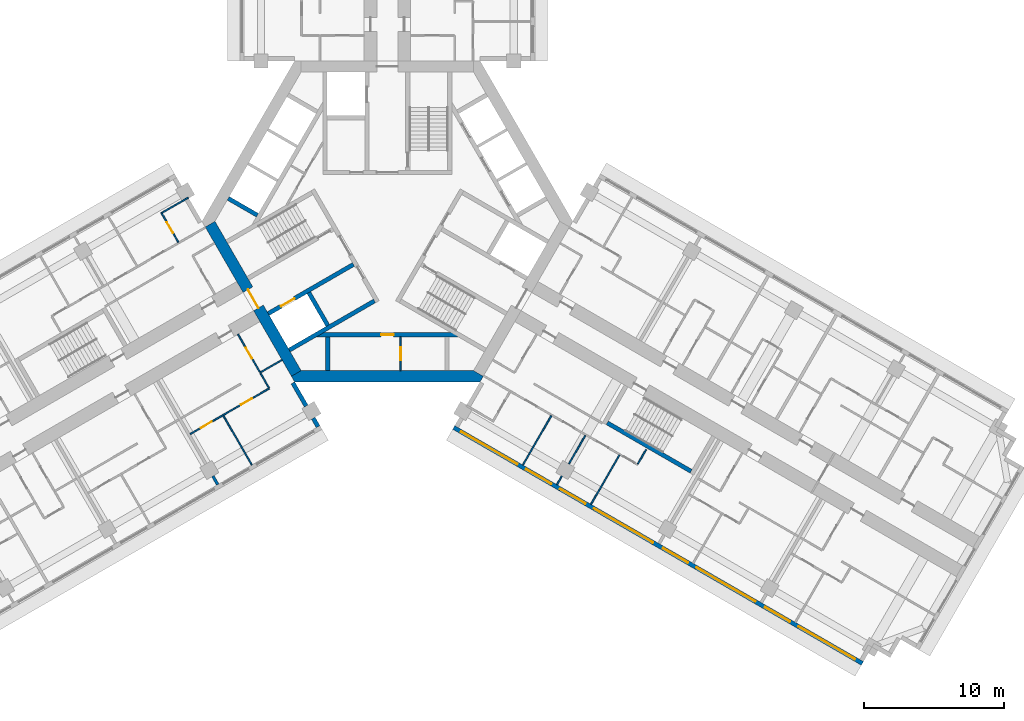
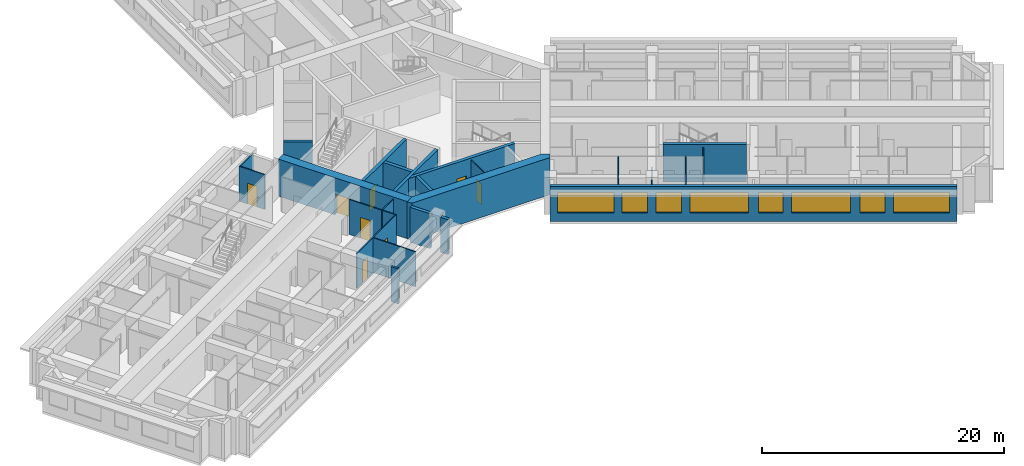
# One storey, part 6 of 14: 26 walls, 8 doors, 8 windows, 16 openings.
"""IFC4 building model written with IfcOpenShell, lengths in metres."""

from ifc_helpers import new_model, si_unit, direction, frame, frame_2d, origin, place, context, subcontext, project, spatial, polyline, rectangle, outline, extrude, material, layer, layer_set, type_object, element, fill, save


model = new_model("IFC4")

# Units and contexts
model_context = context("Model", 3, precision=1e-05, world=origin(), true_north=direction((0.0, 1.0)))
body_context = subcontext(model_context, "Body", "Model", "MODEL_VIEW")
ifc_project = project(units=[si_unit("LENGTHUNIT", "METRE"), si_unit("AREAUNIT", "SQUARE_METRE"), si_unit("VOLUMEUNIT", "CUBIC_METRE"), si_unit("PLANEANGLEUNIT", "RADIAN"), si_unit("MASSUNIT", "GRAM", prefix="KILO")], contexts=[model_context])

# Site, building, storey
site_placement = place(None, origin())
site = spatial("IfcSite", under=ifc_project, at=site_placement, CompositionType="ELEMENT")
building_placement = place(site_placement, origin())
building = spatial("IfcBuilding", under=site, at=building_placement, Name="Impinga Residences", CompositionType="ELEMENT")
storey_placement = place(building_placement, frame((0.0, 0.0, 121.0)))
storey = spatial("IfcBuildingStorey", under=building, at=storey_placement, Name="L29", CompositionType="ELEMENT", Elevation=121.0)

# Wall, opening, door
ifc_material_1 = material(Name="Concrete blockwork", Category="masonry")
ifc_layer_1 = layer(ifc_material_1, 0.10009765625)
ifc_layer_set_1 = layer_set([ifc_layer_1], Name="CP1 core room partition, blockwork 100")
wall_type_1 = type_object("IfcWallType", Name="CP1 core room partition, blockwork 100", PredefinedType="PARTITIONING", material=ifc_layer_set_1)
wall_1_placement = place(storey_placement, frame((0.949951171875, -8.2314453125, 0.0), z_axis=(0.0, 0.0, 1.0), x_axis=(0.0, -1.0, 0.0)))
wall_1 = element("IfcWall", 1, at=wall_1_placement, inside=storey, type_object=wall_type_1, Name="Core room partition, blockwork L29:CORE:low:ZP1", PredefinedType="PARTITIONING", context=body_context, shape_type="SweptSolid", body=[
    extrude(rectangle(XDim=2.400146484375, YDim=0.10009765625, at=frame_2d((1.2001953125, 0.0))), origin(), (0.0, 0.0, 1.0), 3.530029296875),
])
opening_1_placement = place(wall_1_placement, frame((0.75, 0.0, 0.0)))
opening_1 = element("IfcOpeningElement", 2, at=opening_1_placement, cuts=wall_1, Name="Opening D6", PredefinedType="OPENING", context=body_context, shape_type="SweptSolid", body=[
    extrude(rectangle(XDim=0.89990234375, YDim=2.10009765625, at=frame_2d((0.449951171875, 1.050048828125))), frame((0.0, 0.06005859375, 0.0), z_axis=(0.0, -1.0, 0.0), x_axis=(1.0, 0.0, 0.0)), (0.0, 0.0, 1.0), 0.1201171875),
])
ifc_material_2 = material(Name="Timber door set", Category="wood")
door_type_1 = type_object("IfcDoorType", Name="D6 riser and store door 900x2100", OperationType="SINGLE_SWING_LEFT", PredefinedType="DOOR", material=ifc_material_2)
door_1_placement = place(opening_1_placement, origin())
door_1 = element("IfcDoor", 3, at=door_1_placement, inside=storey, type_object=door_type_1, Name="Staff WC door", OperationType="SINGLE_SWING_LEFT", OverallHeight=2.10009765625, OverallWidth=0.89990234375, PredefinedType="DOOR", context=body_context, shape_type="SweptSolid", body=[
    extrude(rectangle(XDim=0.89990234375, YDim=2.10009765625, at=frame_2d((0.449951171875, 1.050048828125))), frame((0.0, 0.02490234375, 0.0), z_axis=(0.0, -1.0, 0.0), x_axis=(1.0, 0.0, 0.0)), (0.0, 0.0, 1.0), 0.050048828125),
])
fill(opening_1, door_1)

# Wall, openings, windows
ifc_material_3 = material(Name="Terracotta rainscreen on blockwork", Category="masonry")
ifc_layer_2 = layer(ifc_material_3, 0.300048828125)
ifc_layer_set_2 = layer_set([ifc_layer_2], Name="EW1 external wall, terracotta rainscreen on blockwork 300")
wall_type_2 = type_object("IfcWallType", Name="EW1 external wall, terracotta rainscreen on blockwork 300", PredefinedType="SOLIDWALL", material=ifc_layer_set_2)
wall_2_placement = place(storey_placement, frame((33.823486328125, -31.479248046875, 0.0), z_axis=(0.0, 0.0, 1.0), x_axis=(-0.866024291668, 0.500001926238, 0.0)))
wall_2 = element("IfcWall", 4, at=wall_2_placement, inside=storey, type_object=wall_type_2, Name="External wall EW1 L29", PredefinedType="SOLIDWALL", context=body_context, shape_type="SweptSolid", body=[
    extrude(rectangle(XDim=33.599853515625, YDim=0.300048828125, at=frame_2d((16.7998046875, 0.0))), origin(), (0.0, 0.0, 1.0), 3.530029296875),
])
opening_2_placement = place(wall_2_placement, frame((0.60009765625, 0.0, 0.89990234375)))
opening_2 = element("IfcOpeningElement", 5, at=opening_2_placement, cuts=wall_2, Name="Opening W10", PredefinedType="OPENING", context=body_context, shape_type="SweptSolid", body=[
    extrude(rectangle(XDim=4.64990234375, YDim=2.050048828125, at=frame_2d((2.324951171875, 1.02490234375))), frame((0.0, 0.159912109375, 0.0), z_axis=(0.0, -1.0, 0.0), x_axis=(1.0, 0.0, 0.0)), (0.0, 0.0, 1.0), 0.320068359375),
])
opening_3_placement = place(wall_2_placement, frame((5.949951171875, 0.0, 0.89990234375)))
opening_3 = element("IfcOpeningElement", 6, at=opening_3_placement, cuts=wall_2, Name="Opening W14", PredefinedType="OPENING", context=body_context, shape_type="SweptSolid", body=[
    extrude(rectangle(XDim=2.050048828125, YDim=2.050048828125, at=frame_2d((1.02490234375, 1.02490234375))), frame((0.0, 0.159912109375, 0.0), z_axis=(0.0, -1.0, 0.0), x_axis=(1.0, 0.0, 0.0)), (0.0, 0.0, 1.0), 0.320068359375),
])
opening_4_placement = place(wall_2_placement, frame((8.800048828125, 0.0, 0.89990234375)))
opening_4 = element("IfcOpeningElement", 7, at=opening_4_placement, cuts=wall_2, Name="Opening W6", PredefinedType="OPENING", context=body_context, shape_type="SweptSolid", body=[
    extrude(rectangle(XDim=4.85009765625, YDim=2.050048828125, at=frame_2d((2.425048828125, 1.02490234375))), frame((0.0, 0.159912109375, 0.0), z_axis=(0.0, -1.0, 0.0), x_axis=(1.0, 0.0, 0.0)), (0.0, 0.0, 1.0), 0.320068359375),
])
opening_5_placement = place(wall_2_placement, frame((14.35009765625, 0.0, 0.89990234375)))
opening_5 = element("IfcOpeningElement", 8, at=opening_5_placement, cuts=wall_2, Name="Opening W14", PredefinedType="OPENING", context=body_context, shape_type="SweptSolid", body=[
    extrude(rectangle(XDim=2.050048828125, YDim=2.050048828125, at=frame_2d((1.02490234375, 1.02490234375))), frame((0.0, 0.159912109375, 0.0), z_axis=(0.0, -1.0, 0.0), x_axis=(1.0, 0.0, 0.0)), (0.0, 0.0, 1.0), 0.320068359375),
])
opening_6_placement = place(wall_2_placement, frame((17.199951171875, 0.0, 0.89990234375)))
opening_6 = element("IfcOpeningElement", 9, at=opening_6_placement, cuts=wall_2, Name="Opening W6", PredefinedType="OPENING", context=body_context, shape_type="SweptSolid", body=[
    extrude(rectangle(XDim=4.85009765625, YDim=2.050048828125, at=frame_2d((2.425048828125, 1.02490234375))), frame((0.0, 0.159912109375, 0.0), z_axis=(0.0, -1.0, 0.0), x_axis=(1.0, 0.0, 0.0)), (0.0, 0.0, 1.0), 0.320068359375),
])
opening_7_placement = place(wall_2_placement, frame((22.75, 0.0, 0.89990234375)))
opening_7 = element("IfcOpeningElement", 10, at=opening_7_placement, cuts=wall_2, Name="Opening W9", PredefinedType="OPENING", context=body_context, shape_type="SweptSolid", body=[
    extrude(rectangle(XDim=2.10009765625, YDim=2.050048828125, at=frame_2d((1.050048828125, 1.02490234375))), frame((0.0, 0.159912109375, 0.0), z_axis=(0.0, -1.0, 0.0), x_axis=(1.0, 0.0, 0.0)), (0.0, 0.0, 1.0), 0.320068359375),
])
opening_8_placement = place(wall_2_placement, frame((25.550048828125, 0.0, 0.89990234375)))
opening_8 = element("IfcOpeningElement", 11, at=opening_8_placement, cuts=wall_2, Name="Opening W9", PredefinedType="OPENING", context=body_context, shape_type="SweptSolid", body=[
    extrude(rectangle(XDim=2.10009765625, YDim=2.050048828125, at=frame_2d((1.050048828125, 1.02490234375))), frame((0.0, 0.159912109375, 0.0), z_axis=(0.0, -1.0, 0.0), x_axis=(1.0, 0.0, 0.0)), (0.0, 0.0, 1.0), 0.320068359375),
])
opening_9_placement = place(wall_2_placement, frame((28.35009765625, 0.0, 0.89990234375)))
opening_9 = element("IfcOpeningElement", 12, at=opening_9_placement, cuts=wall_2, Name="Opening W10", PredefinedType="OPENING", context=body_context, shape_type="SweptSolid", body=[
    extrude(rectangle(XDim=4.64990234375, YDim=2.050048828125, at=frame_2d((2.324951171875, 1.02490234375))), frame((0.0, 0.159912109375, 0.0), z_axis=(0.0, -1.0, 0.0), x_axis=(1.0, 0.0, 0.0)), (0.0, 0.0, 1.0), 0.320068359375),
])
ifc_material_4 = material(Name="Aluminium window, clear double glazing", Category="aluminium")
window_type_1 = type_object("IfcWindowType", Name="W10 ribbon window 4650x2050", PartitioningType="SINGLE_PANEL", PredefinedType="WINDOW", material=ifc_material_4)
window_1_placement = place(opening_2_placement, origin())
window_1 = element("IfcWindow", 13, at=window_1_placement, inside=storey, type_object=window_type_1, Name="Window L29", OverallHeight=2.050048828125, OverallWidth=4.64990234375, PartitioningType="SINGLE_PANEL", PredefinedType="WINDOW", context=body_context, shape_type="SweptSolid", body=[
    extrude(rectangle(XDim=4.64990234375, YDim=2.050048828125, at=frame_2d((2.324951171875, 1.02490234375))), frame((0.0, 0.030029296875, 0.0), z_axis=(0.0, -1.0, 0.0), x_axis=(1.0, 0.0, 0.0)), (0.0, 0.0, 1.0), 0.06005859375),
])
fill(opening_2, window_1)
window_2_placement = place(opening_9_placement, origin())
window_2 = element("IfcWindow", 14, at=window_2_placement, inside=storey, type_object=window_type_1, Name="Window L29", OverallHeight=2.050048828125, OverallWidth=4.64990234375, PartitioningType="SINGLE_PANEL", PredefinedType="WINDOW", context=body_context, shape_type="SweptSolid", body=[
    extrude(rectangle(XDim=4.64990234375, YDim=2.050048828125, at=frame_2d((2.324951171875, 1.02490234375))), frame((0.0, 0.030029296875, 0.0), z_axis=(0.0, -1.0, 0.0), x_axis=(1.0, 0.0, 0.0)), (0.0, 0.0, 1.0), 0.06005859375),
])
fill(opening_9, window_2)
window_type_2 = type_object("IfcWindowType", Name="W14 ribbon window 2050x2050", PartitioningType="SINGLE_PANEL", PredefinedType="WINDOW", material=ifc_material_4)
window_3_placement = place(opening_3_placement, origin())
window_3 = element("IfcWindow", 15, at=window_3_placement, inside=storey, type_object=window_type_2, Name="Window L29", OverallHeight=2.050048828125, OverallWidth=2.050048828125, PartitioningType="SINGLE_PANEL", PredefinedType="WINDOW", context=body_context, shape_type="SweptSolid", body=[
    extrude(rectangle(XDim=2.050048828125, YDim=2.050048828125, at=frame_2d((1.02490234375, 1.02490234375))), frame((0.0, 0.030029296875, 0.0), z_axis=(0.0, -1.0, 0.0), x_axis=(1.0, 0.0, 0.0)), (0.0, 0.0, 1.0), 0.06005859375),
])
fill(opening_3, window_3)
window_4_placement = place(opening_5_placement, origin())
window_4 = element("IfcWindow", 16, at=window_4_placement, inside=storey, type_object=window_type_2, Name="Window L29", OverallHeight=2.050048828125, OverallWidth=2.050048828125, PartitioningType="SINGLE_PANEL", PredefinedType="WINDOW", context=body_context, shape_type="SweptSolid", body=[
    extrude(rectangle(XDim=2.050048828125, YDim=2.050048828125, at=frame_2d((1.02490234375, 1.02490234375))), frame((0.0, 0.030029296875, 0.0), z_axis=(0.0, -1.0, 0.0), x_axis=(1.0, 0.0, 0.0)), (0.0, 0.0, 1.0), 0.06005859375),
])
fill(opening_5, window_4)
window_type_3 = type_object("IfcWindowType", Name="W6 ribbon window 4850x2050", PartitioningType="SINGLE_PANEL", PredefinedType="WINDOW", material=ifc_material_4)
window_5_placement = place(opening_4_placement, origin())
window_5 = element("IfcWindow", 17, at=window_5_placement, inside=storey, type_object=window_type_3, Name="Window L29", OverallHeight=2.050048828125, OverallWidth=4.85009765625, PartitioningType="SINGLE_PANEL", PredefinedType="WINDOW", context=body_context, shape_type="SweptSolid", body=[
    extrude(rectangle(XDim=4.85009765625, YDim=2.050048828125, at=frame_2d((2.425048828125, 1.02490234375))), frame((0.0, 0.030029296875, 0.0), z_axis=(0.0, -1.0, 0.0), x_axis=(1.0, 0.0, 0.0)), (0.0, 0.0, 1.0), 0.06005859375),
])
fill(opening_4, window_5)
window_6_placement = place(opening_6_placement, origin())
window_6 = element("IfcWindow", 18, at=window_6_placement, inside=storey, type_object=window_type_3, Name="Window L29", OverallHeight=2.050048828125, OverallWidth=4.85009765625, PartitioningType="SINGLE_PANEL", PredefinedType="WINDOW", context=body_context, shape_type="SweptSolid", body=[
    extrude(rectangle(XDim=4.85009765625, YDim=2.050048828125, at=frame_2d((2.425048828125, 1.02490234375))), frame((0.0, 0.030029296875, 0.0), z_axis=(0.0, -1.0, 0.0), x_axis=(1.0, 0.0, 0.0)), (0.0, 0.0, 1.0), 0.06005859375),
])
fill(opening_6, window_6)
window_type_4 = type_object("IfcWindowType", Name="W9 ribbon window 2100x2050", PartitioningType="SINGLE_PANEL", PredefinedType="WINDOW", material=ifc_material_4)
window_7_placement = place(opening_7_placement, origin())
window_7 = element("IfcWindow", 19, at=window_7_placement, inside=storey, type_object=window_type_4, Name="Window L29", OverallHeight=2.050048828125, OverallWidth=2.10009765625, PartitioningType="SINGLE_PANEL", PredefinedType="WINDOW", context=body_context, shape_type="SweptSolid", body=[
    extrude(rectangle(XDim=2.10009765625, YDim=2.050048828125, at=frame_2d((1.050048828125, 1.02490234375))), frame((0.0, 0.030029296875, 0.0), z_axis=(0.0, -1.0, 0.0), x_axis=(1.0, 0.0, 0.0)), (0.0, 0.0, 1.0), 0.06005859375),
])
fill(opening_7, window_7)
window_8_placement = place(opening_8_placement, origin())
window_8 = element("IfcWindow", 20, at=window_8_placement, inside=storey, type_object=window_type_4, Name="Window L29", OverallHeight=2.050048828125, OverallWidth=2.10009765625, PartitioningType="SINGLE_PANEL", PredefinedType="WINDOW", context=body_context, shape_type="SweptSolid", body=[
    extrude(rectangle(XDim=2.10009765625, YDim=2.050048828125, at=frame_2d((1.050048828125, 1.02490234375))), frame((0.0, 0.030029296875, 0.0), z_axis=(0.0, -1.0, 0.0), x_axis=(1.0, 0.0, 0.0)), (0.0, 0.0, 1.0), 0.06005859375),
])
fill(opening_8, window_8)

# Walls
wall_3_placement = place(storey_placement, frame((-6.72998046875, -11.506591796875, 0.0), z_axis=(0.0, 0.0, 1.0), x_axis=(0.500063520245, -0.865988727248, 0.0)))
element("IfcWall", 21, at=wall_3_placement, inside=storey, type_object=wall_type_2, Name="External wall EW1 L29", PredefinedType="SOLIDWALL", context=body_context, shape_type="SweptSolid", body=[
    extrude(rectangle(XDim=1.900146484375, YDim=0.300048828125, at=frame_2d((0.9501953125, 0.0))), origin(), (0.0, 0.0, 1.0), 3.530029296875),
])
wall_4_placement = place(storey_placement, frame((-5.27978515625, -14.01806640625, 0.0), z_axis=(0.0, 0.0, 1.0), x_axis=(0.499853302173, -0.866110083249, 0.0)))
element("IfcWall", 22, at=wall_4_placement, inside=storey, type_object=wall_type_2, Name="External wall EW1 L29", PredefinedType="SOLIDWALL", context=body_context, shape_type="SweptSolid", body=[
    extrude(rectangle(XDim=0.699951171875, YDim=0.300048828125, at=frame_2d((0.35009765625, 0.0))), origin(), (0.0, 0.0, 1.0), 3.530029296875),
])
ifc_material_5 = material(Name="Gypsum board on steel studs", Category="steel")
ifc_layer_3 = layer(ifc_material_5, 0.10009765625)
ifc_layer_set_3 = layer_set([ifc_layer_3], Name="Gypsum board on steel studs")
wall_type_3 = type_object("IfcWallType", Name="IP1 partition 100", PredefinedType="PARTITIONING", material=ifc_layer_set_3)
wall_5_placement = place(storey_placement, frame((-7.5, -9.872802734375, 0.0), z_axis=(0.0, 0.0, 1.0), x_axis=(-0.866047807691, -0.499961193289, 0.0)))
element("IfcWall", 23, at=wall_5_placement, inside=storey, type_object=wall_type_3, Name="Partition L29-WA1:DIV0", PredefinedType="PARTITIONING", context=body_context, shape_type="SweptSolid", body=[
    extrude(rectangle(XDim=1.800048828125, YDim=0.10009765625, at=frame_2d((0.89990234375, 0.0))), origin(), (0.0, 0.0, 1.0), 3.530029296875),
])

# Wall, openings, doors
wall_6_placement = place(storey_placement, frame((-8.408935546875, -11.8984375, 0.0), z_axis=(0.0, 0.0, 1.0), x_axis=(-0.866024837091, -0.50000098154, 0.0)))
wall_6 = element("IfcWall", 24, at=wall_6_placement, inside=storey, type_object=wall_type_3, Name="Partition L29-WA1:STRIP", PredefinedType="PARTITIONING", context=body_context, shape_type="SweptSolid", body=[
    extrude(rectangle(XDim=6.5, YDim=0.10009765625, at=frame_2d((3.25, 0.0))), origin(), (0.0, 0.0, 1.0), 3.530029296875),
])
opening_10_placement = place(wall_6_placement, frame((1.425048828125, 0.0, 0.0)))
opening_10 = element("IfcOpeningElement", 25, at=opening_10_placement, cuts=wall_6, Name="Opening D2", PredefinedType="OPENING", context=body_context, shape_type="SweptSolid", body=[
    extrude(rectangle(XDim=0.89990234375, YDim=2.10009765625, at=frame_2d((0.449951171875, 1.050048828125))), frame((0.0, 0.06005859375, 0.0), z_axis=(0.0, -1.0, 0.0), x_axis=(1.0, 0.0, 0.0)), (0.0, 0.0, 1.0), 0.1201171875),
])
opening_11_placement = place(wall_6_placement, frame((4.72509765625, 0.0, 0.0)))
opening_11 = element("IfcOpeningElement", 26, at=opening_11_placement, cuts=wall_6, Name="Opening D2", PredefinedType="OPENING", context=body_context, shape_type="SweptSolid", body=[
    extrude(rectangle(XDim=0.89990234375, YDim=2.10009765625, at=frame_2d((0.449951171875, 1.050048828125))), frame((0.0, 0.06005859375, 0.0), z_axis=(0.0, -1.0, 0.0), x_axis=(1.0, 0.0, 0.0)), (0.0, 0.0, 1.0), 0.1201171875),
])
door_type_2 = type_object("IfcDoorType", Name="D2 internal door 900x2100", OperationType="SINGLE_SWING_LEFT", PredefinedType="DOOR", material=ifc_material_2)
door_2_placement = place(opening_10_placement, origin())
door_2 = element("IfcDoor", 27, at=door_2_placement, inside=storey, type_object=door_type_2, Name="Apartment L29-WA1 room door", OperationType="SINGLE_SWING_LEFT", OverallHeight=2.10009765625, OverallWidth=0.89990234375, PredefinedType="DOOR", context=body_context, shape_type="SweptSolid", body=[
    extrude(rectangle(XDim=0.89990234375, YDim=2.10009765625, at=frame_2d((0.449951171875, 1.050048828125))), frame((0.0, 0.02490234375, 0.0), z_axis=(0.0, -1.0, 0.0), x_axis=(1.0, 0.0, 0.0)), (0.0, 0.0, 1.0), 0.050048828125),
])
fill(opening_10, door_2)
door_3_placement = place(opening_11_placement, origin())
door_3 = element("IfcDoor", 28, at=door_3_placement, inside=storey, type_object=door_type_2, Name="Apartment L29-WA1 room door", OperationType="SINGLE_SWING_RIGHT", OverallHeight=2.10009765625, OverallWidth=0.89990234375, PredefinedType="DOOR", context=body_context, shape_type="SweptSolid", body=[
    extrude(rectangle(XDim=0.89990234375, YDim=2.10009765625, at=frame_2d((0.449951171875, 1.050048828125))), frame((0.0, 0.02490234375, 0.0), z_axis=(0.0, -1.0, 0.0), x_axis=(1.0, 0.0, 0.0)), (0.0, 0.0, 1.0), 0.050048828125),
])
fill(opening_11, door_3)

# Wall
wall_7_placement = place(storey_placement, frame((-9.033935546875, -10.81591796875, 0.0), z_axis=(0.0, 0.0, 1.0), x_axis=(0.500033551112, -0.866006032174, 0.0)))
element("IfcWall", 29, at=wall_7_placement, inside=storey, type_object=wall_type_3, Name="Partition L29-WA1:SE0", PredefinedType="PARTITIONING", context=body_context, shape_type="SweptSolid", body=[
    extrude(rectangle(XDim=1.2001953125, YDim=0.10009765625, at=frame_2d((0.60009765625, 0.0))), origin(), (0.0, 0.0, 1.0), 3.530029296875),
])

# Wall, opening, door
wall_8_placement = place(storey_placement, frame((-10.6337890625, -8.044677734375, 0.0), z_axis=(0.0, 0.0, 1.0), x_axis=(0.49999285859, -0.86602952684, 0.0)))
wall_8 = element("IfcWall", 30, at=wall_8_placement, inside=storey, type_object=wall_type_3, Name="Partition L29-WA1:IB1", PredefinedType="PARTITIONING", context=body_context, shape_type="SweptSolid", body=[
    extrude(rectangle(XDim=3.10009765625, YDim=0.10009765625, at=frame_2d((1.550048828125, 0.0))), origin(), (0.0, 0.0, 1.0), 3.530029296875),
])
opening_12_placement = place(wall_8_placement, frame((1.10009765625, 0.0, 0.0)))
opening_12 = element("IfcOpeningElement", 31, at=opening_12_placement, cuts=wall_8, Name="Opening D2", PredefinedType="OPENING", context=body_context, shape_type="SweptSolid", body=[
    extrude(rectangle(XDim=0.89990234375, YDim=2.10009765625, at=frame_2d((0.449951171875, 1.050048828125))), frame((0.0, 0.06005859375, 0.0), z_axis=(0.0, -1.0, 0.0), x_axis=(1.0, 0.0, 0.0)), (0.0, 0.0, 1.0), 0.1201171875),
])
door_4_placement = place(opening_12_placement, origin())
door_4 = element("IfcDoor", 32, at=door_4_placement, inside=storey, type_object=door_type_2, Name="Apartment L29-WA1 bathroom door", OperationType="SINGLE_SWING_LEFT", OverallHeight=2.10009765625, OverallWidth=0.89990234375, PredefinedType="DOOR", context=body_context, shape_type="SweptSolid", body=[
    extrude(rectangle(XDim=0.89990234375, YDim=2.10009765625, at=frame_2d((0.449951171875, 1.050048828125))), frame((0.0, 0.02490234375, 0.0), z_axis=(0.0, -1.0, 0.0), x_axis=(1.0, 0.0, 0.0)), (0.0, 0.0, 1.0), 0.050048828125),
])
fill(opening_12, door_4)

# Wall
wall_9_placement = place(storey_placement, frame((-11.6748046875, -13.841796875, 0.0), z_axis=(0.0, 0.0, 1.0), x_axis=(0.500035537042, -0.866004885491, 0.0)))
element("IfcWall", 33, at=wall_9_placement, inside=storey, type_object=wall_type_3, Name="Partition L29-WA1:OB1", PredefinedType="PARTITIONING", context=body_context, shape_type="SweptSolid", body=[
    extrude(rectangle(XDim=4.050048828125, YDim=0.10009765625, at=frame_2d((2.02490234375, 0.0))), origin(), (0.0, 0.0, 1.0), 3.530029296875),
])

# Wall, opening, door
wall_10_placement = place(storey_placement, frame((-14.88037109375, -1.48974609375, 0.0), z_axis=(0.0, 0.0, 1.0), x_axis=(-0.499943856944, 0.866057815567, 0.0)))
wall_10 = element("IfcWall", 34, at=wall_10_placement, inside=storey, type_object=wall_type_3, Name="Partition L29-WF1:EN1", PredefinedType="PARTITIONING", context=body_context, shape_type="SweptSolid", body=[
    extrude(rectangle(XDim=2.449951171875, YDim=0.10009765625, at=frame_2d((1.22509765625, 0.0))), origin(), (0.0, 0.0, 1.0), 3.530029296875),
])
opening_13_placement = place(wall_10_placement, frame((0.75, 0.0, 0.0)))
opening_13 = element("IfcOpeningElement", 35, at=opening_13_placement, cuts=wall_10, Name="Opening D2", PredefinedType="OPENING", context=body_context, shape_type="SweptSolid", body=[
    extrude(rectangle(XDim=0.89990234375, YDim=2.10009765625, at=frame_2d((0.449951171875, 1.050048828125))), frame((0.0, 0.06005859375, 0.0), z_axis=(0.0, -1.0, 0.0), x_axis=(1.0, 0.0, 0.0)), (0.0, 0.0, 1.0), 0.1201171875),
])
door_5_placement = place(opening_13_placement, origin())
door_5 = element("IfcDoor", 36, at=door_5_placement, inside=storey, type_object=door_type_2, Name="Apartment L29-WF1 en-suite door", OperationType="SINGLE_SWING_LEFT", OverallHeight=2.10009765625, OverallWidth=0.89990234375, PredefinedType="DOOR", context=body_context, shape_type="SweptSolid", body=[
    extrude(rectangle(XDim=0.89990234375, YDim=2.10009765625, at=frame_2d((0.449951171875, 1.050048828125))), frame((0.0, 0.02490234375, 0.0), z_axis=(0.0, -1.0, 0.0), x_axis=(1.0, 0.0, 0.0)), (0.0, 0.0, 1.0), 0.050048828125),
])
fill(opening_13, door_5)

# Walls
wall_11_placement = place(storey_placement, frame((-14.175048828125, 1.688720703125, 0.0), z_axis=(0.0, 0.0, 1.0), x_axis=(-0.866019166195, -0.500010803666, 0.0)))
element("IfcWall", 37, at=wall_11_placement, inside=storey, type_object=wall_type_3, Name="Partition L29-WF1:EN2", PredefinedType="PARTITIONING", context=body_context, shape_type="SweptSolid", body=[
    extrude(rectangle(XDim=2.14990234375, YDim=0.10009765625, at=frame_2d((1.074951171875, 0.0))), origin(), (0.0, 0.0, 1.0), 3.530029296875),
])
wall_12_placement = place(storey_placement, frame((18.43017578125, -16.240966796875, 0.0), z_axis=(0.0, 0.0, 1.0), x_axis=(-0.499880961361, -0.866094119867, 0.0)))
element("IfcWall", 38, at=wall_12_placement, inside=storey, type_object=wall_type_3, Name="Partition L29-EF1:SE1", PredefinedType="PARTITIONING", context=body_context, shape_type="SweptSolid", body=[
    extrude(rectangle(XDim=1.199951171875, YDim=0.10009765625, at=frame_2d((0.60009765625, 0.0))), origin(), (0.0, 0.0, 1.0), 3.530029296875),
])
wall_13_placement = place(storey_placement, frame((11.6748046875, -13.841796875, 0.0), z_axis=(0.0, 0.0, 1.0), x_axis=(-0.500035537042, -0.866004885491, 0.0)))
element("IfcWall", 39, at=wall_13_placement, inside=storey, type_object=wall_type_3, Name="Partition L29-EF1:OB1", PredefinedType="PARTITIONING", context=body_context, shape_type="SweptSolid", body=[
    extrude(rectangle(XDim=4.050048828125, YDim=0.10009765625, at=frame_2d((2.02490234375, 0.0))), origin(), (0.0, 0.0, 1.0), 3.530029296875),
])
wall_14_placement = place(storey_placement, frame((14.099609375, -15.241943359375, 0.0), z_axis=(0.0, 0.0, 1.0), x_axis=(-0.500016218704, -0.866016039709, 0.0)))
element("IfcWall", 40, at=wall_14_placement, inside=storey, type_object=wall_type_3, Name="Partition L29-EF1:OB2", PredefinedType="PARTITIONING", context=body_context, shape_type="SweptSolid", body=[
    extrude(rectangle(XDim=2.35009765625, YDim=0.10009765625, at=frame_2d((1.175048828125, 0.0))), origin(), (0.0, 0.0, 1.0), 2.47998046875),
])
wall_15_placement = place(storey_placement, frame((12.424560546875, -18.14306640625, 0.0), z_axis=(0.0, 0.0, 1.0), x_axis=(-0.499853302173, -0.866110083249, 0.0)))
element("IfcWall", 41, at=wall_15_placement, inside=storey, type_object=wall_type_3, Name="Partition L29-EF1:OB2b", PredefinedType="PARTITIONING", context=body_context, shape_type="SweptSolid", body=[
    extrude(rectangle(XDim=0.699951171875, YDim=0.10009765625, at=frame_2d((0.35009765625, 0.0))), origin(), (0.0, 0.0, 1.0), 3.530029296875),
])
wall_16_placement = place(storey_placement, frame((16.5244140625, -16.641845703125, 0.0), z_axis=(0.0, 0.0, 1.0), x_axis=(-0.499990325971, -0.866030989016, 0.0)))
element("IfcWall", 42, at=wall_16_placement, inside=storey, type_object=wall_type_3, Name="Partition L29-EF1:OB3", PredefinedType="PARTITIONING", context=body_context, shape_type="SweptSolid", body=[
    extrude(rectangle(XDim=4.0498046875, YDim=0.10009765625, at=frame_2d((2.02490234375, 0.0))), origin(), (0.0, 0.0, 1.0), 3.530029296875),
])
ifc_layer_4 = layer(ifc_material_1, 0.199951171875)
ifc_layer_set_4 = layer_set([ifc_layer_4], Name="PW1 party wall between apartments 200")
wall_type_4 = type_object("IfcWallType", Name="PW1 party wall between apartments 200", PredefinedType="SOLIDWALL", material=ifc_layer_set_4)
wall_17_placement = place(storey_placement, frame((-12.424560546875, -18.14306640625, 0.0), z_axis=(0.0, 0.0, 1.0), x_axis=(0.499853302173, -0.866110083249, 0.0)))
element("IfcWall", 43, at=wall_17_placement, inside=storey, type_object=wall_type_4, Name="Party wall between apartments L29-WA1:PARTYb", PredefinedType="SOLIDWALL", context=body_context, shape_type="SweptSolid", body=[
    extrude(rectangle(XDim=0.699951171875, YDim=0.199951171875, at=frame_2d((0.35009765625, 0.0))), origin(), (0.0, 0.0, 1.0), 3.530029296875),
])
ifc_material_6 = material(Name="Concrete C60/75", Category="concrete")
ifc_layer_5 = layer(ifc_material_6, 0.300048828125)
ifc_layer_set_5 = layer_set([ifc_layer_5], Name="Concrete C60/75")
wall_type_5 = type_object("IfcWallType", Name="SE1 wing stair enclosure wall 300", PredefinedType="SOLIDWALL", material=ifc_layer_set_5)
wall_18_placement = place(storey_placement, frame((15.654052734375, -14.349365234375, 0.0), z_axis=(0.0, 0.0, 1.0), x_axis=(0.866013532718, -0.500020560727, 0.0)))
element("IfcWall", 44, at=wall_18_placement, inside=storey, type_object=wall_type_5, Name="Stair enclosure wall SE1 E OUT L29", PredefinedType="SOLIDWALL", context=body_context, shape_type="SweptSolid", body=[
    extrude(rectangle(XDim=6.900146484375, YDim=0.300048828125, at=frame_2d((3.4501953125, 0.0))), origin(), (0.0, 0.0, 1.0), 3.75),
])

# Wall, opening, door
ifc_layer_6 = layer(ifc_material_6, 0.800048828125)
ifc_layer_set_6 = layer_set([ifc_layer_6], Name="Concrete C60/75")
wall_type_6 = type_object("IfcWallType", Name="SW2 core wall 800", PredefinedType="SHEAR", material=ifc_layer_set_6)
wall_19_placement = place(storey_placement, frame((-6.484619140625, -10.83154296875, 0.0), z_axis=(0.0, 0.0, 1.0), x_axis=(-0.499986991068, 0.866032914365, 0.0)))
wall_19 = element("IfcWall", 45, at=wall_19_placement, inside=storey, type_object=wall_type_6, Name="Core wall SW2 W:FACE L29", PredefinedType="SHEAR", context=body_context, shape_type="SweptSolid", body=[
    extrude(rectangle(XDim=12.276123046875, YDim=0.800048828125, at=frame_2d((6.13818359375, 0.0))), origin(), (0.0, 0.0, 1.0), 3.75),
])
opening_14_placement = place(wall_19_placement, frame((5.38818359375, 0.0, 0.0)))
opening_14 = element("IfcOpeningElement", 46, at=opening_14_placement, cuts=wall_19, Name="Opening D4", PredefinedType="OPENING", context=body_context, shape_type="SweptSolid", body=[
    extrude(rectangle(XDim=1.5, YDim=2.10009765625, at=frame_2d((0.75, 1.050048828125))), frame((0.0, 0.409912109375, 0.0), z_axis=(0.0, -1.0, 0.0), x_axis=(1.0, 0.0, 0.0)), (0.0, 0.0, 1.0), 0.820068359375),
])
door_type_3 = type_object("IfcDoorType", Name="D4 lobby door pair 1500x2100", OperationType="DOUBLE_DOOR_DOUBLE_SWING", PredefinedType="DOOR", material=ifc_material_2)
door_6_placement = place(opening_14_placement, origin())
door_6 = element("IfcDoor", 47, at=door_6_placement, inside=storey, type_object=door_type_3, Name="Lobby door W", OperationType="DOUBLE_DOOR_DOUBLE_SWING", OverallHeight=2.10009765625, OverallWidth=1.5, PredefinedType="DOOR", context=body_context, shape_type="SweptSolid", body=[
    extrude(rectangle(XDim=1.5, YDim=2.10009765625, at=frame_2d((0.75, 1.050048828125))), frame((0.0, 0.02490234375, 0.0), z_axis=(0.0, -1.0, 0.0), x_axis=(1.0, 0.0, 0.0)), (0.0, 0.0, 1.0), 0.050048828125),
])
fill(opening_14, door_6)

# Wall
wall_20_placement = place(storey_placement, origin())
element("IfcWall", 48, at=wall_20_placement, inside=storey, type_object=wall_type_6, Name="Core wall SW2 N:EXPOSED L29", PredefinedType="SHEAR", context=body_context, shape_type="SweptSolid", body=[
    extrude(outline(polyline([(-6.60009765625, -11.431640625), (6.60009765625, -11.431640625), (6.8310546875, -11.031494140625), (6.13818359375, -10.631591796875), (-6.13818359375, -10.631591796875), (-6.8310546875, -11.031494140625), (-6.60009765625, -11.431640625)])), origin(), (0.0, 0.0, 1.0), 3.75),
])

# Wall, opening, door
ifc_material_7 = material(Name="Concrete C70/85", Category="concrete")
ifc_layer_7 = layer(ifc_material_7, 0.300048828125)
ifc_layer_set_7 = layer_set([ifc_layer_7], Name="Concrete C70/85")
wall_type_7 = type_object("IfcWallType", Name="SW5 core inner wall, stairs, shafts and lobbies 300", PredefinedType="SHEAR", material=ifc_layer_set_7)
wall_21_placement = place(storey_placement, frame((-2.418701171875, -3.07080078125, 0.0), z_axis=(0.0, 0.0, 1.0), x_axis=(-0.866026480128, -0.499998135713, 0.0)))
wall_21 = element("IfcWall", 49, at=wall_21_placement, inside=storey, type_object=wall_type_7, Name="Core wall SW5 W:FF-IN L29", PredefinedType="SHEAR", context=body_context, shape_type="SweptSolid", body=[
    extrude(rectangle(XDim=7.00146484375, YDim=0.300048828125, at=frame_2d((3.500732421875, 0.0))), origin(), (0.0, 0.0, 1.0), 3.75),
])
opening_15_placement = place(wall_21_placement, frame((4.85009765625, 0.0, 0.0)))
opening_15 = element("IfcOpeningElement", 50, at=opening_15_placement, cuts=wall_21, Name="Opening LD2", PredefinedType="OPENING", context=body_context, shape_type="SweptSolid", body=[
    extrude(rectangle(XDim=1.10009765625, YDim=2.10009765625, at=frame_2d((0.550048828125, 1.050048828125))), frame((0.0, 0.159912109375, 0.0), z_axis=(0.0, -1.0, 0.0), x_axis=(1.0, 0.0, 0.0)), (0.0, 0.0, 1.0), 0.320068359375),
])
ifc_material_8 = material(Name="Steel lift landing door", Category="steel")
door_type_4 = type_object("IfcDoorType", Name="LD2 firefighting lift landing door 1100x2100", OperationType="DOUBLE_DOOR_SLIDING", PredefinedType="DOOR", material=ifc_material_8)
door_7_placement = place(opening_15_placement, origin())
door_7 = element("IfcDoor", 51, at=door_7_placement, inside=storey, type_object=door_type_4, Name="Firefighting lift landing door F2", OperationType="DOUBLE_DOOR_SLIDING", OverallHeight=2.10009765625, OverallWidth=1.10009765625, PredefinedType="DOOR", context=body_context, shape_type="SweptSolid", body=[
    extrude(rectangle(XDim=1.10009765625, YDim=2.10009765625, at=frame_2d((0.550048828125, 1.050048828125))), frame((0.0, 0.02490234375, 0.0), z_axis=(0.0, -1.0, 0.0), x_axis=(1.0, 0.0, 0.0)), (0.0, 0.0, 1.0), 0.050048828125),
])
fill(opening_15, door_7)

# Walls
wall_22_placement = place(storey_placement, frame((-0.918701171875, -5.668701171875, 0.0), z_axis=(0.0, 0.0, 1.0), x_axis=(-0.866011380966, -0.500024287448, 0.0)))
element("IfcWall", 52, at=wall_22_placement, inside=storey, type_object=wall_type_7, Name="Core wall SW5 W:FF-OUT L29", PredefinedType="SHEAR", context=body_context, shape_type="SweptSolid", body=[
    extrude(rectangle(XDim=7.001708984375, YDim=0.300048828125, at=frame_2d((3.5009765625, 0.0))), origin(), (0.0, 0.0, 1.0), 3.75),
])
wall_23_placement = place(storey_placement, frame((-4.2412109375, -7.413818359375, 0.0), z_axis=(0.0, 0.0, 1.0), x_axis=(-0.500048589285, 0.86599734893, 0.0)))
element("IfcWall", 53, at=wall_23_placement, inside=storey, type_object=wall_type_7, Name="Core wall SW5 W:FF-RS L29", PredefinedType="SHEAR", context=body_context, shape_type="SweptSolid", body=[
    extrude(rectangle(XDim=2.699951171875, YDim=0.300048828125, at=frame_2d((1.35009765625, 0.0))), origin(), (0.0, 0.0, 1.0), 3.75),
])

# Wall, opening, door
wall_24_placement = place(storey_placement, frame((5.09765625, -8.08154296875, 0.0), z_axis=(0.0, 0.0, 1.0), x_axis=(-1.0, 0.0, 0.0)))
wall_24 = element("IfcWall", 54, at=wall_24_placement, inside=storey, type_object=wall_type_7, Name="Core wall SW5 N:BANK-FRONT L29", PredefinedType="SHEAR", context=body_context, shape_type="SweptSolid", body=[
    extrude(rectangle(XDim=10.1953125, YDim=0.300048828125, at=frame_2d((5.09765625, 0.0))), origin(), (0.0, 0.0, 1.0), 3.75),
])
opening_16_placement = place(wall_24_placement, frame((4.647705078125, 0.0, 0.0)))
opening_16 = element("IfcOpeningElement", 55, at=opening_16_placement, cuts=wall_24, Name="Opening D6", PredefinedType="OPENING", context=body_context, shape_type="SweptSolid", body=[
    extrude(rectangle(XDim=0.89990234375, YDim=2.10009765625, at=frame_2d((0.449951171875, 1.050048828125))), frame((0.0, 0.159912109375, 0.0), z_axis=(0.0, -1.0, 0.0), x_axis=(1.0, 0.0, 0.0)), (0.0, 0.0, 1.0), 0.320068359375),
])
door_8_placement = place(opening_16_placement, origin())
door_8 = element("IfcDoor", 56, at=door_8_placement, inside=storey, type_object=door_type_1, Name="Guest pantry door", OperationType="SINGLE_SWING_LEFT", OverallHeight=2.10009765625, OverallWidth=0.89990234375, PredefinedType="DOOR", context=body_context, shape_type="SweptSolid", body=[
    extrude(rectangle(XDim=0.89990234375, YDim=2.10009765625, at=frame_2d((0.449951171875, 1.050048828125))), frame((0.0, 0.02490234375, 0.0), z_axis=(0.0, -1.0, 0.0), x_axis=(1.0, 0.0, 0.0)), (0.0, 0.0, 1.0), 0.050048828125),
])
fill(opening_16, door_8)

# Walls
for number, where, z_axis, x_axis, name in (
    (57, (-4.25, -8.2314453125, 0.0), (0.0, 0.0, 1.0), (0.0, -1.0, 0.0), "Core wall SW5 N:BANK-R L29"),
    (58, (-9.253662109375, 0.43505859375, 0.0), (0.0, 0.0, 1.0), (-0.866006032174, 0.500033551112, 0.0), "Core wall SW5 E:BANK-L L29"),
):
    element("IfcWall", number, at=place(storey_placement, frame(where, z_axis=z_axis, x_axis=x_axis)), inside=storey, type_object=wall_type_7, Name=name, PredefinedType="SHEAR", context=body_context, shape_type="SweptSolid", body=[
        extrude(rectangle(XDim=2.400146484375, YDim=0.300048828125, at=frame_2d((1.2001953125, 0.0))), origin(), (0.0, 0.0, 1.0), 3.75),
    ])

save(model, "model.ifc")
